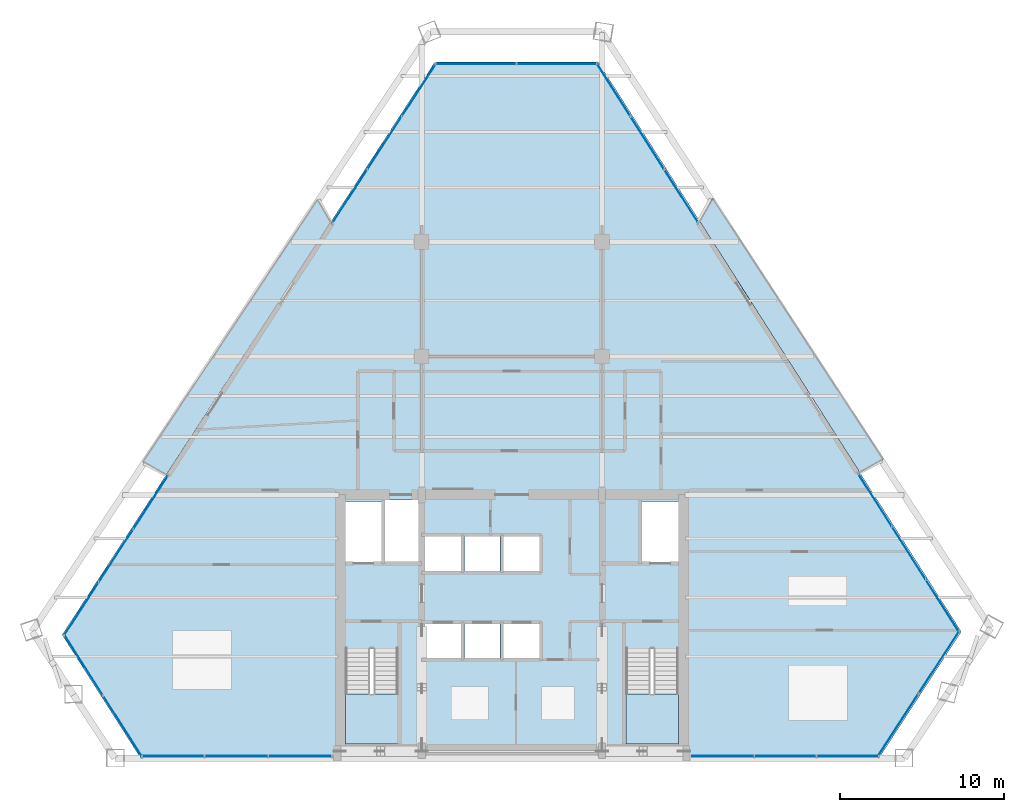
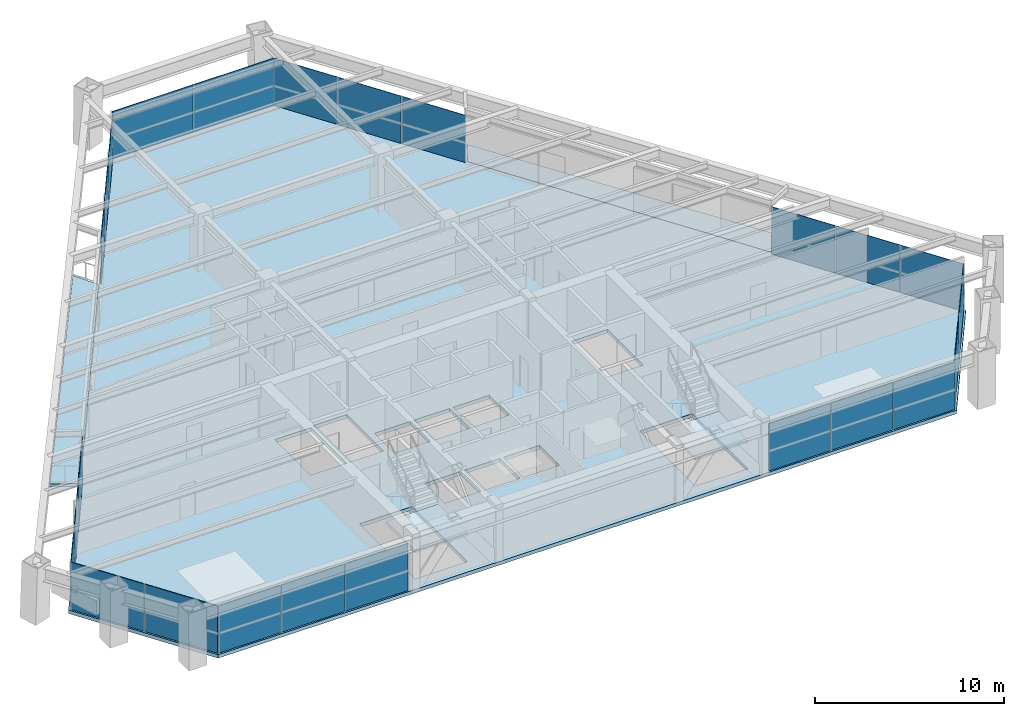
# One storey, part 10 of 15: 24 plates, 5 slabs, 11 elements without a shape of their own.
"""IFC4 building model written with IfcOpenShell, lengths in metres."""

from ifc_helpers import new_model, si_unit, direction, frame, origin, origin_2d, place, context, subcontext, project, spatial, polyline, rectangle, outline, extrude, source, transform, mapped, material, layer, layer_set, type_object, element, aggregate, save


model = new_model("IFC4")

# Units and contexts
model_context = context("Model", 3, precision=1e-05, world=origin(), true_north=direction((0.0, 1.0)))
body_context = subcontext(model_context, "Body", "Model", "MODEL_VIEW")
ifc_project = project(units=[si_unit("LENGTHUNIT", "METRE"), si_unit("AREAUNIT", "SQUARE_METRE"), si_unit("VOLUMEUNIT", "CUBIC_METRE"), si_unit("PLANEANGLEUNIT", "RADIAN"), si_unit("MASSUNIT", "GRAM", prefix="KILO")], contexts=[model_context])

# Site, building, storey
site_placement = place(None, origin())
site = spatial("IfcSite", under=ifc_project, at=site_placement, CompositionType="ELEMENT")
building_placement = place(site_placement, origin())
building = spatial("IfcBuilding", under=site, at=building_placement, Name="Varnakhor Terracotta Tower", CompositionType="ELEMENT")
storey_placement = place(building_placement, frame((0.0, 0.0, 140.39990234375)))
storey = spatial("IfcBuildingStorey", under=building, at=storey_placement, Name="L35", CompositionType="ELEMENT", Elevation=140.39990234375)

# Stair, slab
ifc_material_1 = material(Name="Concrete C40/50", Category="concrete")
stair_type = type_object("IfcStairType", Name="STR-CORE-OFFICE-1500", PredefinedType="HALF_TURN_STAIR", material=ifc_material_1)
stair_1_placement = place(storey_placement, origin())
stair_1 = element("IfcStair", 1, at=stair_1_placement, inside=storey, type_object=stair_type, Name="L35 Core Exit Stair ST-1", PredefinedType="HALF_TURN_STAIR")
ifc_layer_1 = layer(ifc_material_1, 0.179931640625, Name="Concrete C40/50")
ifc_layer_set_1 = layer_set([ifc_layer_1], Name="Concrete C40/50")
slab_type_1 = type_object("IfcSlabType", Name="SLB-LANDING-180", PredefinedType="LANDING", material=ifc_layer_set_1)
slab_1_placement = place(storey_placement, frame((0.0, 0.0, 1.650146484375)))
slab_1 = element("IfcSlab", 2, at=slab_1_placement, type_object=slab_type_1, Name="ST-1 landing 1", PredefinedType="LANDING", context=body_context, shape_type="SweptSolid", body=[
    extrude(outline(polyline([(-10.14990234375, 3.909912109375), (-10.14990234375, 0.85009765625), (-6.949951171875, 0.85009765625), (-6.949951171875, 3.909912109375), (-10.14990234375, 3.909912109375)])), origin(), (0.0, 0.0, 1.0), 0.199951171875),
])
aggregate(stair_1, [slab_1])

stair_2_placement = place(storey_placement, origin())
stair_2 = element("IfcStair", 3, at=stair_2_placement, inside=storey, type_object=stair_type, Name="L35 Core Exit Stair ST-2", PredefinedType="HALF_TURN_STAIR")
slab_2_placement = place(storey_placement, frame((0.0, 0.0, 1.650146484375)))
slab_2 = element("IfcSlab", 4, at=slab_2_placement, type_object=slab_type_1, Name="ST-2 landing 1", PredefinedType="LANDING", context=body_context, shape_type="SweptSolid", body=[
    extrude(outline(polyline([(6.949951171875, 3.909912109375), (6.949951171875, 0.85009765625), (10.14990234375, 0.85009765625), (10.14990234375, 3.909912109375), (6.949951171875, 3.909912109375)])), origin(), (0.0, 0.0, 1.0), 0.199951171875),
])
aggregate(stair_2, [slab_2])

# Slabs
ifc_layer_2 = layer(ifc_material_1, 0.195068359375, Name="Concrete C40/50")
ifc_layer_set_2 = layer_set([ifc_layer_2], Name="Concrete C40/50")
slab_type_2 = type_object("IfcSlabType", Name="SLB-LOGGIA-EXT-195", PredefinedType="FLOOR", material=ifc_layer_set_2)
slab_3_placement = place(storey_placement, frame((0.0, 0.0, -0.19482421875)))
element("IfcSlab", 5, at=slab_3_placement, inside=storey, type_object=slab_type_2, Name="L35 E Recessed Outdoor Loggia Slab", PredefinedType="FLOOR", context=body_context, shape_type="SweptSolid", body=[
    extrude(outline(polyline([(12.228515625, 34.140380859375), (22.643310546875, 18.193603515625), (21.207763671875, 17.4462890625), (20.6689453125, 18.291748046875), (11.463134765625, 32.73828125), (12.228515625, 34.140380859375)])), origin(), (0.0, 0.0, 1.0), 0.19482421875),
])
slab_4_placement = place(storey_placement, frame((0.0, 0.0, -0.19482421875)))
element("IfcSlab", 6, at=slab_4_placement, inside=storey, type_object=slab_type_2, Name="L35 W Recessed Outdoor Loggia Slab", PredefinedType="FLOOR", context=body_context, shape_type="SweptSolid", body=[
    extrude(outline(polyline([(-22.5068359375, 18.047119140625), (-11.827392578125, 34.08349609375), (-11.059814453125, 32.68359375), (-21.065185546875, 17.305908203125), (-22.5068359375, 18.047119140625)])), origin(), (0.0, 0.0, 1.0), 0.19482421875),
])
ifc_layer_3 = layer(ifc_material_1, 0.22998046875, Name="Concrete C40/50")
ifc_layer_set_3 = layer_set([ifc_layer_3], Name="Concrete C40/50")
slab_type_3 = type_object("IfcSlabType", Name="SLB-OFF-230", PredefinedType="FLOOR", material=ifc_layer_set_3)
slab_5_placement = place(storey_placement, frame((0.0, 0.0, -0.22998046875)))
element("IfcSlab", 7, at=slab_5_placement, inside=storey, type_object=slab_type_3, Name="L35 Structural Floor Slab", PredefinedType="FLOOR", context=body_context, shape_type="SweptSolid", body=[
    extrude(outline(polyline([(-27.432373046875, 7.52001953125), (-4.69287109375, 42.469482421875), (5.26220703125, 42.469482421875), (27.408935546875, 7.715087890625), (22.38916015625, 0.0), (-22.64013671875, 0.0), (-27.432373046875, 7.52001953125)]), holes=[polyline([(-6.949951171875, 0.85009765625), (-6.949951171875, 6.695068359375), (-10.14990234375, 6.695068359375), (-10.14990234375, 0.85009765625), (-6.949951171875, 0.85009765625)]), polyline([(-3.10009765625, 6.10009765625), (-3.10009765625, 8.199951171875), (-5.300048828125, 8.199951171875), (-5.300048828125, 6.10009765625), (-3.10009765625, 6.10009765625)]), polyline([(-0.719970703125, 6.10009765625), (-0.719970703125, 8.199951171875), (-2.8798828125, 8.199951171875), (-2.8798828125, 6.10009765625), (-0.719970703125, 6.10009765625)]), polyline([(-5.300048828125, 11.419921875), (-3.10009765625, 11.419921875), (-3.10009765625, 13.52001953125), (-5.300048828125, 13.52001953125), (-5.300048828125, 11.419921875)]), polyline([(-10.14990234375, 11.8798828125), (-7.949951171875, 11.8798828125), (-7.949951171875, 15.64990234375), (-10.14990234375, 15.64990234375), (-10.14990234375, 11.8798828125)]), polyline([(-5.699951171875, 11.8798828125), (-5.699951171875, 15.75), (-7.72998046875, 15.75), (-7.72998046875, 11.8798828125), (-5.699951171875, 11.8798828125)]), polyline([(6.949951171875, 0.85009765625), (10.14990234375, 0.85009765625), (10.14990234375, 6.695068359375), (6.949951171875, 6.695068359375), (6.949951171875, 0.85009765625)]), polyline([(-0.5, 6.10009765625), (1.699951171875, 6.10009765625), (1.699951171875, 8.199951171875), (-0.5, 8.199951171875), (-0.5, 6.10009765625)]), polyline([(-0.719970703125, 11.419921875), (-0.719970703125, 13.52001953125), (-2.8798828125, 13.52001953125), (-2.8798828125, 11.419921875), (-0.719970703125, 11.419921875)]), polyline([(-0.5, 11.419921875), (1.699951171875, 11.419921875), (1.699951171875, 13.52001953125), (-0.5, 13.52001953125), (-0.5, 11.419921875)]), polyline([(7.949951171875, 11.8798828125), (10.14990234375, 11.8798828125), (10.14990234375, 15.64990234375), (7.949951171875, 15.64990234375), (7.949951171875, 11.8798828125)])]), origin(), (0.0, 0.0, 1.0), 0.22998046875),
])

# Curtain wall, plates
ifc_material_2 = material(Name="Anodised Aluminium Curtain Wall System", Category="aluminium")
curtain_wall_type = type_object("IfcCurtainWallType", Name="CW-SYS-MID-OFFICE", PredefinedType="NOTDEFINED", material=ifc_material_2)
curtain_wall_1_placement = place(storey_placement, origin())
curtain_wall_1 = element("IfcCurtainWall", 8, at=curtain_wall_1_placement, inside=storey, type_object=curtain_wall_type, Name="L35 W Facet Curtain Wall 1", PredefinedType="NOTDEFINED")
ifc_material_3 = material(Name="Solar-Control Low-E Insulated Glass Panel", Category="glass")
ifc_layer_4 = layer(ifc_material_3, 0.035888671875, Name="Solar-Control Low-E Insulated Glass Panel")
ifc_layer_set_4 = layer_set([ifc_layer_4], Name="Solar-Control Low-E Insulated Glass Panel")
plate_type = type_object("IfcPlateType", Name="CWP-03", PredefinedType="CURTAIN_PANEL", material=ifc_layer_set_4)
shared_shape_1 = source(origin(), body_context, "Body", "SweptSolid", [
    extrude(rectangle(XDim=3.831787109375, YDim=0.035888671875, at=origin_2d()), origin(), (0.0, 0.0, 1.0), 3.050048828125),
])
plate_1_placement = place(storey_placement, frame((-26.259765625, 9.102294921875, 0.0), z_axis=(0.0, 0.0, 1.0), x_axis=(0.545370705676, 0.838194961444, 0.0)))
plate_1 = element("IfcPlate", 9, at=plate_1_placement, type_object=plate_type, Name="L35 W Facet Curtain Wall 1 Glazed Panel 1", PredefinedType="CURTAIN_PANEL", context=body_context, shape_type="MappedRepresentation", body=[
    mapped(shared_shape_1, transform((0.0, 0.0, 0.0), scale=1.0)),
])
plate_2_placement = place(storey_placement, frame((-22.036865234375, 15.5927734375, 0.0), z_axis=(0.0, 0.0, 1.0), x_axis=(0.545370705676, 0.838194961444, 0.0)))
plate_2 = element("IfcPlate", 10, at=plate_2_placement, type_object=plate_type, Name="L35 W Facet Curtain Wall 1 Glazed Panel 3", PredefinedType="CURTAIN_PANEL", context=body_context, shape_type="MappedRepresentation", body=[
    mapped(shared_shape_1, transform((0.0, 0.0, 0.0), scale=1.0)),
])
shared_shape_2 = source(origin(), body_context, "Body", "SweptSolid", [
    extrude(rectangle(XDim=3.83154296875, YDim=0.035888671875, at=origin_2d()), origin(), (0.0, 0.0, 1.0), 3.050048828125),
])
plate_3_placement = place(storey_placement, frame((-24.148193359375, 12.34765625, 0.0), z_axis=(0.0, 0.0, 1.0), x_axis=(0.545370705676, 0.838194961444, 0.0)))
plate_3 = element("IfcPlate", 11, at=plate_3_placement, type_object=plate_type, Name="L35 W Facet Curtain Wall 1 Glazed Panel 2", PredefinedType="CURTAIN_PANEL", context=body_context, shape_type="MappedRepresentation", body=[
    mapped(shared_shape_2, transform((0.0, 0.0, 0.0), scale=1.0)),
])
aggregate(curtain_wall_1, [plate_1, plate_3, plate_2])

curtain_wall_2_placement = place(storey_placement, origin())
curtain_wall_2 = element("IfcCurtainWall", 12, at=curtain_wall_2_placement, inside=storey, type_object=curtain_wall_type, Name="L35 W Facet Curtain Wall 2", PredefinedType="NOTDEFINED")
plate_4_placement = place(storey_placement, frame((-9.88720703125, 34.265869140625, 0.0), z_axis=(0.0, 0.0, 1.0), x_axis=(0.545370705676, 0.838194961444, 0.0)))
plate_4 = element("IfcPlate", 13, at=plate_4_placement, type_object=plate_type, Name="L35 W Facet Curtain Wall 2 Glazed Panel 1", PredefinedType="CURTAIN_PANEL", context=body_context, shape_type="MappedRepresentation", body=[
    mapped(shared_shape_2, transform((0.0, 0.0, 0.0), scale=1.0)),
])
plate_5_placement = place(storey_placement, frame((-7.77587890625, 37.510986328125, 0.0), z_axis=(0.0, 0.0, 1.0), x_axis=(0.545370705676, 0.838194961444, 0.0)))
plate_5 = element("IfcPlate", 14, at=plate_5_placement, type_object=plate_type, Name="L35 W Facet Curtain Wall 2 Glazed Panel 2", PredefinedType="CURTAIN_PANEL", context=body_context, shape_type="MappedRepresentation", body=[
    mapped(shared_shape_2, transform((0.0, 0.0, 0.0), scale=1.0)),
])
plate_6_placement = place(storey_placement, frame((-5.664306640625, 40.756103515625, 0.0), z_axis=(0.0, 0.0, 1.0), x_axis=(0.545370705676, 0.838194961444, 0.0)))
plate_6 = element("IfcPlate", 15, at=plate_6_placement, type_object=plate_type, Name="L35 W Facet Curtain Wall 2 Glazed Panel 3", PredefinedType="CURTAIN_PANEL", context=body_context, shape_type="MappedRepresentation", body=[
    mapped(shared_shape_2, transform((0.0, 0.0, 0.0), scale=1.0)),
])
aggregate(curtain_wall_2, [plate_4, plate_5, plate_6])

curtain_wall_3_placement = place(storey_placement, origin())
curtain_wall_3 = element("IfcCurtainWall", 16, at=curtain_wall_3_placement, inside=storey, type_object=curtain_wall_type, Name="L35 Facet Curtain Wall 2", PredefinedType="NOTDEFINED")
shared_shape_3 = source(origin(), body_context, "Body", "SweptSolid", [
    extrude(rectangle(XDim=4.907470703125, YDim=0.035888671875, at=origin_2d()), origin(), (0.0, 0.0, 1.0), 3.050048828125),
])
plate_7_placement = place(storey_placement, frame((-2.18896484375, 42.349365234375, 0.0), z_axis=(0.0, 0.0, 1.0), x_axis=(1.0, 0.0, 0.0)))
plate_7 = element("IfcPlate", 17, at=plate_7_placement, type_object=plate_type, Name="L35 Facet Curtain Wall 2 Glazed Panel 1", PredefinedType="CURTAIN_PANEL", context=body_context, shape_type="MappedRepresentation", body=[
    mapped(shared_shape_3, transform((0.0, 0.0, 0.0), scale=1.0)),
])
plate_8_placement = place(storey_placement, frame((2.75830078125, 42.349365234375, 0.0), z_axis=(0.0, 0.0, 1.0), x_axis=(1.0, 0.0, 0.0)))
plate_8 = element("IfcPlate", 18, at=plate_8_placement, type_object=plate_type, Name="L35 Facet Curtain Wall 2 Glazed Panel 2", PredefinedType="CURTAIN_PANEL", context=body_context, shape_type="MappedRepresentation", body=[
    mapped(shared_shape_3, transform((0.0, 0.0, 0.0), scale=1.0)),
])
aggregate(curtain_wall_3, [plate_7, plate_8])

curtain_wall_4_placement = place(storey_placement, origin())
curtain_wall_4 = element("IfcCurtainWall", 19, at=curtain_wall_4_placement, inside=storey, type_object=curtain_wall_type, Name="L35 E Facet Curtain Wall 1", PredefinedType="NOTDEFINED")
shared_shape_4 = source(origin(), body_context, "Body", "SweptSolid", [
    extrude(rectangle(XDim=3.786376953125, YDim=0.035888671875, at=origin_2d()), origin(), (0.0, 0.0, 1.0), 3.050048828125),
])
plate_9_placement = place(storey_placement, frame((6.205078125, 40.76611328125, 0.0), z_axis=(0.0, 0.0, 1.0), x_axis=(0.53740264404, -0.843325795988, 0.0)))
plate_9 = element("IfcPlate", 20, at=plate_9_placement, type_object=plate_type, Name="L35 E Facet Curtain Wall 1 Glazed Panel 1", PredefinedType="CURTAIN_PANEL", context=body_context, shape_type="MappedRepresentation", body=[
    mapped(shared_shape_4, transform((0.0, 0.0, 0.0), scale=1.0)),
])
plate_10_placement = place(storey_placement, frame((8.261474609375, 37.539306640625, 0.0), z_axis=(0.0, 0.0, 1.0), x_axis=(0.53740264404, -0.843325795988, 0.0)))
plate_10 = element("IfcPlate", 21, at=plate_10_placement, type_object=plate_type, Name="L35 E Facet Curtain Wall 1 Glazed Panel 2", PredefinedType="CURTAIN_PANEL", context=body_context, shape_type="MappedRepresentation", body=[
    mapped(shared_shape_4, transform((0.0, 0.0, 0.0), scale=1.0)),
])
plate_11_placement = place(storey_placement, frame((10.31787109375, 34.3125, 0.0), z_axis=(0.0, 0.0, 1.0), x_axis=(0.53740264404, -0.843325795988, 0.0)))
plate_11 = element("IfcPlate", 22, at=plate_11_placement, type_object=plate_type, Name="L35 E Facet Curtain Wall 1 Glazed Panel 3", PredefinedType="CURTAIN_PANEL", context=body_context, shape_type="MappedRepresentation", body=[
    mapped(shared_shape_4, transform((0.0, 0.0, 0.0), scale=1.0)),
])
aggregate(curtain_wall_4, [plate_9, plate_10, plate_11])

curtain_wall_5_placement = place(storey_placement, origin())
curtain_wall_5 = element("IfcCurtainWall", 23, at=curtain_wall_5_placement, inside=storey, type_object=curtain_wall_type, Name="L35 E Facet Curtain Wall 2", PredefinedType="NOTDEFINED")
plate_12_placement = place(storey_placement, frame((22.15087890625, 15.7431640625, 0.0), z_axis=(0.0, 0.0, 1.0), x_axis=(0.53740264404, -0.843325795988, 0.0)))
plate_12 = element("IfcPlate", 24, at=plate_12_placement, type_object=plate_type, Name="L35 E Facet Curtain Wall 2 Glazed Panel 1", PredefinedType="CURTAIN_PANEL", context=body_context, shape_type="MappedRepresentation", body=[
    mapped(shared_shape_4, transform((0.0, 0.0, 0.0), scale=1.0)),
])
plate_13_placement = place(storey_placement, frame((24.20703125, 12.51611328125, 0.0), z_axis=(0.0, 0.0, 1.0), x_axis=(0.53740264404, -0.843325795988, 0.0)))
plate_13 = element("IfcPlate", 25, at=plate_13_placement, type_object=plate_type, Name="L35 E Facet Curtain Wall 2 Glazed Panel 2", PredefinedType="CURTAIN_PANEL", context=body_context, shape_type="MappedRepresentation", body=[
    mapped(shared_shape_4, transform((0.0, 0.0, 0.0), scale=1.0)),
])
plate_14_placement = place(storey_placement, frame((26.263427734375, 9.289306640625, 0.0), z_axis=(0.0, 0.0, 1.0), x_axis=(0.53740264404, -0.843325795988, 0.0)))
plate_14 = element("IfcPlate", 26, at=plate_14_placement, type_object=plate_type, Name="L35 E Facet Curtain Wall 2 Glazed Panel 3", PredefinedType="CURTAIN_PANEL", context=body_context, shape_type="MappedRepresentation", body=[
    mapped(shared_shape_4, transform((0.0, 0.0, 0.0), scale=1.0)),
])
aggregate(curtain_wall_5, [plate_12, plate_13, plate_14])

curtain_wall_6_placement = place(storey_placement, origin())
curtain_wall_6 = element("IfcCurtainWall", 27, at=curtain_wall_6_placement, inside=storey, type_object=curtain_wall_type, Name="L35 Facet Curtain Wall 4", PredefinedType="NOTDEFINED")
shared_shape_5 = source(origin(), body_context, "Body", "SweptSolid", [
    extrude(rectangle(XDim=4.5322265625, YDim=0.035888671875, at=origin_2d()), origin(), (0.0, 0.0, 1.0), 3.050048828125),
])
plate_15_placement = place(storey_placement, frame((26.045166015625, 5.839111328125, 0.0), z_axis=(0.0, 0.0, 1.0), x_axis=(-0.545370705676, -0.838194961444, 0.0)))
plate_15 = element("IfcPlate", 28, at=plate_15_placement, type_object=plate_type, Name="L35 Facet Curtain Wall 4 Glazed Panel 1", PredefinedType="CURTAIN_PANEL", context=body_context, shape_type="MappedRepresentation", body=[
    mapped(shared_shape_5, transform((0.0, 0.0, 0.0), scale=1.0)),
])
plate_16_placement = place(storey_placement, frame((23.5517578125, 2.0068359375, 0.0), z_axis=(0.0, 0.0, 1.0), x_axis=(-0.545370705676, -0.838194961444, 0.0)))
plate_16 = element("IfcPlate", 29, at=plate_16_placement, type_object=plate_type, Name="L35 Facet Curtain Wall 4 Glazed Panel 2", PredefinedType="CURTAIN_PANEL", context=body_context, shape_type="MappedRepresentation", body=[
    mapped(shared_shape_5, transform((0.0, 0.0, 0.0), scale=1.0)),
])
aggregate(curtain_wall_6, [plate_15, plate_16])

curtain_wall_7_placement = place(storey_placement, origin())
curtain_wall_7 = element("IfcCurtainWall", 30, at=curtain_wall_7_placement, inside=storey, type_object=curtain_wall_type, Name="L35 South Wing Curtain Wall SSE", PredefinedType="NOTDEFINED")
shared_shape_6 = source(origin(), body_context, "Body", "SweptSolid", [
    extrude(rectangle(XDim=3.762939453125, YDim=0.035888671875, at=origin_2d()), origin(), (0.0, 0.0, 1.0), 3.050048828125),
])
plate_17_placement = place(storey_placement, frame((20.4775390625, 0.1201171875, 0.0), z_axis=(0.0, 0.0, 1.0), x_axis=(-1.0, 0.0, 0.0)))
plate_17 = element("IfcPlate", 31, at=plate_17_placement, type_object=plate_type, Name="L35 South Wing Curtain Wall SSE Glazed Panel 1", PredefinedType="CURTAIN_PANEL", context=body_context, shape_type="MappedRepresentation", body=[
    mapped(shared_shape_6, transform((0.0, 0.0, 0.0), scale=1.0)),
])
plate_18_placement = place(storey_placement, frame((12.87158203125, 0.1201171875, 0.0), z_axis=(0.0, 0.0, 1.0), x_axis=(-1.0, 0.0, 0.0)))
plate_18 = element("IfcPlate", 32, at=plate_18_placement, type_object=plate_type, Name="L35 South Wing Curtain Wall SSE Glazed Panel 3", PredefinedType="CURTAIN_PANEL", context=body_context, shape_type="MappedRepresentation", body=[
    mapped(shared_shape_6, transform((0.0, 0.0, 0.0), scale=1.0)),
])
shared_shape_7 = source(origin(), body_context, "Body", "SweptSolid", [
    extrude(rectangle(XDim=3.76318359375, YDim=0.035888671875, at=origin_2d()), origin(), (0.0, 0.0, 1.0), 3.050048828125),
])
plate_19_placement = place(storey_placement, frame((16.674560546875, 0.1201171875, 0.0), z_axis=(0.0, 0.0, 1.0), x_axis=(-1.0, 0.0, 0.0)))
plate_19 = element("IfcPlate", 33, at=plate_19_placement, type_object=plate_type, Name="L35 South Wing Curtain Wall SSE Glazed Panel 2", PredefinedType="CURTAIN_PANEL", context=body_context, shape_type="MappedRepresentation", body=[
    mapped(shared_shape_7, transform((0.0, 0.0, 0.0), scale=1.0)),
])
aggregate(curtain_wall_7, [plate_17, plate_19, plate_18])

curtain_wall_8_placement = place(storey_placement, origin())
curtain_wall_8 = element("IfcCurtainWall", 34, at=curtain_wall_8_placement, inside=storey, type_object=curtain_wall_type, Name="L35 South Wing Curtain Wall SSW", PredefinedType="NOTDEFINED")
shared_shape_8 = source(origin(), body_context, "Body", "SweptSolid", [
    extrude(rectangle(XDim=3.8466796875, YDim=0.035888671875, at=origin_2d()), origin(), (0.0, 0.0, 1.0), 3.050048828125),
])
plate_20_placement = place(storey_placement, frame((-12.913330078125, 0.1201171875, 0.0), z_axis=(0.0, 0.0, 1.0), x_axis=(-1.0, 0.0, 0.0)))
plate_20 = element("IfcPlate", 35, at=plate_20_placement, type_object=plate_type, Name="L35 South Wing Curtain Wall SSW Glazed Panel 1", PredefinedType="CURTAIN_PANEL", context=body_context, shape_type="MappedRepresentation", body=[
    mapped(shared_shape_8, transform((0.0, 0.0, 0.0), scale=1.0)),
])
plate_21_placement = place(storey_placement, frame((-16.800048828125, 0.1201171875, 0.0), z_axis=(0.0, 0.0, 1.0), x_axis=(-1.0, 0.0, 0.0)))
plate_21 = element("IfcPlate", 36, at=plate_21_placement, type_object=plate_type, Name="L35 South Wing Curtain Wall SSW Glazed Panel 2", PredefinedType="CURTAIN_PANEL", context=body_context, shape_type="MappedRepresentation", body=[
    mapped(shared_shape_8, transform((0.0, 0.0, 0.0), scale=1.0)),
])
plate_22_placement = place(storey_placement, frame((-20.686767578125, 0.1201171875, 0.0), z_axis=(0.0, 0.0, 1.0), x_axis=(-1.0, 0.0, 0.0)))
plate_22 = element("IfcPlate", 37, at=plate_22_placement, type_object=plate_type, Name="L35 South Wing Curtain Wall SSW Glazed Panel 3", PredefinedType="CURTAIN_PANEL", context=body_context, shape_type="MappedRepresentation", body=[
    mapped(shared_shape_8, transform((0.0, 0.0, 0.0), scale=1.0)),
])
aggregate(curtain_wall_8, [plate_20, plate_21, plate_22])

curtain_wall_9_placement = place(storey_placement, origin())
curtain_wall_9 = element("IfcCurtainWall", 38, at=curtain_wall_9_placement, inside=storey, type_object=curtain_wall_type, Name="L35 Facet Curtain Wall 6", PredefinedType="NOTDEFINED")
shared_shape_9 = source(origin(), body_context, "Body", "SweptSolid", [
    extrude(rectangle(XDim=4.388671875, YDim=0.035888671875, at=origin_2d()), origin(), (0.0, 0.0, 1.0), 3.050048828125),
])
plate_23_placement = place(storey_placement, frame((-23.7451171875, 1.95703125, 0.0), z_axis=(0.0, 0.0, 1.0), x_axis=(-0.53740264404, 0.843325795988, 0.0)))
plate_23 = element("IfcPlate", 39, at=plate_23_placement, type_object=plate_type, Name="L35 Facet Curtain Wall 6 Glazed Panel 1", PredefinedType="CURTAIN_PANEL", context=body_context, shape_type="MappedRepresentation", body=[
    mapped(shared_shape_9, transform((0.0, 0.0, 0.0), scale=1.0)),
])
plate_24_placement = place(storey_placement, frame((-26.125, 5.69189453125, 0.0), z_axis=(0.0, 0.0, 1.0), x_axis=(-0.53740264404, 0.843325795988, 0.0)))
plate_24 = element("IfcPlate", 40, at=plate_24_placement, type_object=plate_type, Name="L35 Facet Curtain Wall 6 Glazed Panel 2", PredefinedType="CURTAIN_PANEL", context=body_context, shape_type="MappedRepresentation", body=[
    mapped(shared_shape_9, transform((0.0, 0.0, 0.0), scale=1.0)),
])
aggregate(curtain_wall_9, [plate_23, plate_24])

save(model, "model.ifc")
